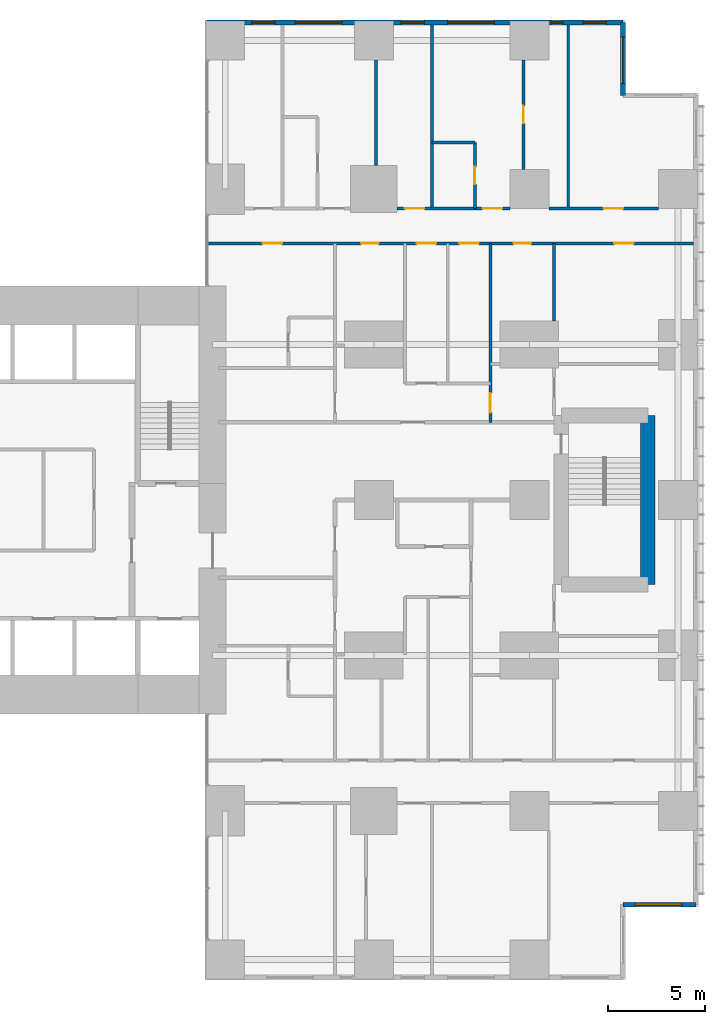
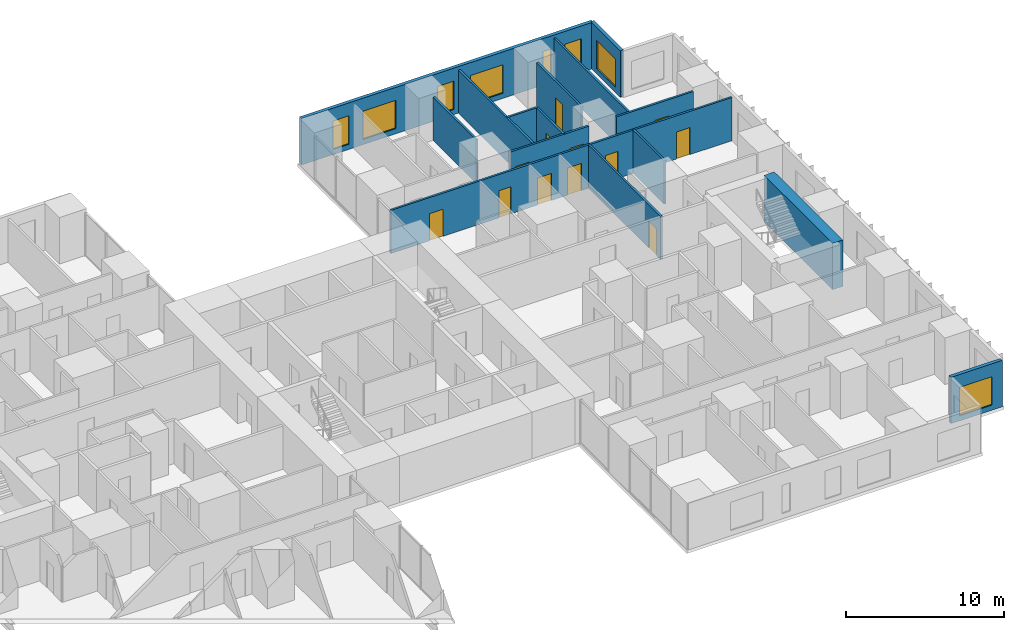
# One storey, part 18 of 20: 15 walls, 12 doors, 8 windows, 20 openings.
"""IFC4 building model written with IfcOpenShell, lengths in metres."""

from ifc_helpers import new_model, si_unit, direction, frame, frame_2d, origin, place, context, subcontext, project, spatial, rectangle, extrude, material, layer, layer_set, type_object, element, fill, save


model = new_model("IFC4")

# Units and contexts
model_context = context("Model", 3, precision=1e-05, world=origin(), true_north=direction((0.0, 1.0)))
body_context = subcontext(model_context, "Body", "Model", "MODEL_VIEW")
ifc_project = project(units=[si_unit("LENGTHUNIT", "METRE"), si_unit("AREAUNIT", "SQUARE_METRE"), si_unit("VOLUMEUNIT", "CUBIC_METRE"), si_unit("PLANEANGLEUNIT", "RADIAN"), si_unit("MASSUNIT", "GRAM", prefix="KILO")], contexts=[model_context])

# Site, building, storey
site_placement = place(None, origin())
site = spatial("IfcSite", under=ifc_project, at=site_placement, CompositionType="ELEMENT")
building_placement = place(site_placement, origin())
building = spatial("IfcBuilding", under=site, at=building_placement, Name="Cleftline Residences", CompositionType="ELEMENT")
storey_placement = place(building_placement, frame((0.0, 0.0, 143.0)))
storey = spatial("IfcBuildingStorey", under=building, at=storey_placement, Name="L37", CompositionType="ELEMENT", Elevation=143.0)

# Wall, opening, window
ifc_material_1 = material(Name="Rendered reinforced concrete blockwork", Category="masonry")
ifc_layer_1 = layer(ifc_material_1, 0.25)
ifc_layer_set_1 = layer_set([ifc_layer_1], Name="EXTERNAL WALL 250")
wall_type_1 = type_object("IfcWallType", Name="EXTERNAL WALL 250", PredefinedType="SOLIDWALL", material=ifc_layer_set_1)
wall_1_placement = place(storey_placement, frame((62.824951171875, 3.175048828125, 0.0), z_axis=(0.0, 0.0, 1.0), x_axis=(1.0, 0.0, 0.0)))
wall_1 = element("IfcWall", 1, at=wall_1_placement, inside=storey, type_object=wall_type_1, Name="External wall", PredefinedType="SOLIDWALL", context=body_context, shape_type="SweptSolid", body=[
    extrude(rectangle(XDim=3.75, YDim=0.25, at=frame_2d((1.875, 0.0))), origin(), (0.0, 0.0, 1.0), 3.60009765625),
])
opening_1_placement = place(wall_1_placement, frame((0.612548828125, 0.0, 0.39990234375)))
opening_1 = element("IfcOpeningElement", 2, at=opening_1_placement, cuts=wall_1, Name="Opening W12", PredefinedType="OPENING", context=body_context, shape_type="SweptSolid", body=[
    extrude(rectangle(XDim=2.39990234375, YDim=2.199951171875, at=frame_2d((1.199951171875, 1.10009765625))), frame((0.0, 0.135009765625, 0.0), z_axis=(0.0, -1.0, 0.0), x_axis=(1.0, 0.0, 0.0)), (0.0, 0.0, 1.0), 0.27001953125),
])
ifc_material_2 = material(Name="Aluminium frame, clear double glazing", Category="aluminium")
window_type_1 = type_object("IfcWindowType", Name="WINDOW 2400X2200", PartitioningType="DOUBLE_PANEL_VERTICAL", PredefinedType="WINDOW", material=ifc_material_2)
window_1_placement = place(opening_1_placement, origin())
window_1 = element("IfcWindow", 3, at=window_1_placement, inside=storey, type_object=window_type_1, Name="Window", OverallHeight=2.199951171875, OverallWidth=2.39990234375, PartitioningType="SINGLE_PANEL", PredefinedType="WINDOW", context=body_context, shape_type="SweptSolid", body=[
    extrude(rectangle(XDim=2.39990234375, YDim=2.199951171875, at=frame_2d((1.199951171875, 1.10009765625))), frame((0.0, 0.030029296875, 0.0), z_axis=(0.0, -1.0, 0.0), x_axis=(1.0, 0.0, 0.0)), (0.0, 0.0, 1.0), 0.06005859375),
])
fill(opening_1, window_1)

wall_2_placement = place(storey_placement, frame((62.824951171875, 44.824951171875, 0.0), z_axis=(0.0, 0.0, 1.0), x_axis=(0.0, 1.0, 0.0)))
wall_2 = element("IfcWall", 4, at=wall_2_placement, inside=storey, type_object=wall_type_1, Name="External wall", PredefinedType="SOLIDWALL", context=body_context, shape_type="SweptSolid", body=[
    extrude(rectangle(XDim=3.75, YDim=0.25, at=frame_2d((1.875, 0.0))), origin(), (0.0, 0.0, 1.0), 3.60009765625),
])
opening_2_placement = place(wall_2_placement, frame((0.612548828125, 0.0, 0.39990234375)))
opening_2 = element("IfcOpeningElement", 5, at=opening_2_placement, cuts=wall_2, Name="Opening W12", PredefinedType="OPENING", context=body_context, shape_type="SweptSolid", body=[
    extrude(rectangle(XDim=2.39990234375, YDim=2.199951171875, at=frame_2d((1.199951171875, 1.10009765625))), frame((0.0, 0.135009765625, 0.0), z_axis=(0.0, -1.0, 0.0), x_axis=(1.0, 0.0, 0.0)), (0.0, 0.0, 1.0), 0.27001953125),
])
window_2_placement = place(opening_2_placement, origin())
window_2 = element("IfcWindow", 6, at=window_2_placement, inside=storey, type_object=window_type_1, Name="Window", OverallHeight=2.199951171875, OverallWidth=2.39990234375, PartitioningType="SINGLE_PANEL", PredefinedType="WINDOW", context=body_context, shape_type="SweptSolid", body=[
    extrude(rectangle(XDim=2.39990234375, YDim=2.199951171875, at=frame_2d((1.199951171875, 1.10009765625))), frame((0.0, 0.030029296875, 0.0), z_axis=(0.0, -1.0, 0.0), x_axis=(1.0, 0.0, 0.0)), (0.0, 0.0, 1.0), 0.06005859375),
])
fill(opening_2, window_2)

# Wall, openings, windows
wall_3_placement = place(storey_placement, frame((62.824951171875, 48.574951171875, 0.0), z_axis=(0.0, 0.0, 1.0), x_axis=(-1.0, 0.0, 0.0)))
wall_3 = element("IfcWall", 7, at=wall_3_placement, inside=storey, type_object=wall_type_1, Name="External wall", PredefinedType="SOLIDWALL", context=body_context, shape_type="SweptSolid", body=[
    extrude(rectangle(XDim=21.39990234375, YDim=0.25, at=frame_2d((10.699951171875, 0.0))), origin(), (0.0, 0.0, 1.0), 3.60009765625),
])
opening_3_placement = place(wall_3_placement, frame((0.875, 0.0, 0.39990234375)))
opening_3 = element("IfcOpeningElement", 8, at=opening_3_placement, cuts=wall_3, Name="Opening W11", PredefinedType="OPENING", context=body_context, shape_type="SweptSolid", body=[
    extrude(rectangle(XDim=1.199951171875, YDim=2.199951171875, at=frame_2d((0.60009765625, 1.10009765625))), frame((0.0, 0.135009765625, 0.0), z_axis=(0.0, -1.0, 0.0), x_axis=(1.0, 0.0, 0.0)), (0.0, 0.0, 1.0), 0.27001953125),
])
opening_4_placement = place(wall_3_placement, frame((3.10009765625, 0.0, 0.39990234375)))
opening_4 = element("IfcOpeningElement", 9, at=opening_4_placement, cuts=wall_3, Name="Opening W10", PredefinedType="OPENING", context=body_context, shape_type="SweptSolid", body=[
    extrude(rectangle(XDim=0.60009765625, YDim=2.199951171875, at=frame_2d((0.300048828125, 1.10009765625))), frame((0.0, 0.135009765625, 0.0), z_axis=(0.0, -1.0, 0.0), x_axis=(1.0, 0.0, 0.0)), (0.0, 0.0, 1.0), 0.27001953125),
])
opening_5_placement = place(wall_3_placement, frame((6.625, 0.0, 0.39990234375)))
opening_5 = element("IfcOpeningElement", 10, at=opening_5_placement, cuts=wall_3, Name="Opening W12", PredefinedType="OPENING", context=body_context, shape_type="SweptSolid", body=[
    extrude(rectangle(XDim=2.39990234375, YDim=2.199951171875, at=frame_2d((1.199951171875, 1.10009765625))), frame((0.0, 0.135009765625, 0.0), z_axis=(0.0, -1.0, 0.0), x_axis=(1.0, 0.0, 0.0)), (0.0, 0.0, 1.0), 0.27001953125),
])
opening_6_placement = place(wall_3_placement, frame((10.22509765625, 0.0, 0.39990234375)))
opening_6 = element("IfcOpeningElement", 11, at=opening_6_placement, cuts=wall_3, Name="Opening W11", PredefinedType="OPENING", context=body_context, shape_type="SweptSolid", body=[
    extrude(rectangle(XDim=1.199951171875, YDim=2.199951171875, at=frame_2d((0.60009765625, 1.10009765625))), frame((0.0, 0.135009765625, 0.0), z_axis=(0.0, -1.0, 0.0), x_axis=(1.0, 0.0, 0.0)), (0.0, 0.0, 1.0), 0.27001953125),
])
opening_7_placement = place(wall_3_placement, frame((14.47509765625, 0.0, 0.39990234375)))
opening_7 = element("IfcOpeningElement", 12, at=opening_7_placement, cuts=wall_3, Name="Opening W12", PredefinedType="OPENING", context=body_context, shape_type="SweptSolid", body=[
    extrude(rectangle(XDim=2.39990234375, YDim=2.199951171875, at=frame_2d((1.199951171875, 1.10009765625))), frame((0.0, 0.135009765625, 0.0), z_axis=(0.0, -1.0, 0.0), x_axis=(1.0, 0.0, 0.0)), (0.0, 0.0, 1.0), 0.27001953125),
])
opening_8_placement = place(wall_3_placement, frame((17.89990234375, 0.0, 0.39990234375)))
opening_8 = element("IfcOpeningElement", 13, at=opening_8_placement, cuts=wall_3, Name="Opening W11", PredefinedType="OPENING", context=body_context, shape_type="SweptSolid", body=[
    extrude(rectangle(XDim=1.199951171875, YDim=2.199951171875, at=frame_2d((0.60009765625, 1.10009765625))), frame((0.0, 0.135009765625, 0.0), z_axis=(0.0, -1.0, 0.0), x_axis=(1.0, 0.0, 0.0)), (0.0, 0.0, 1.0), 0.27001953125),
])
ifc_material_3 = material(Name="Aluminium frame, clear double glazing", Category="aluminium")
window_type_2 = type_object("IfcWindowType", Name="WINDOW 1200X2200", PartitioningType="DOUBLE_PANEL_VERTICAL", PredefinedType="WINDOW", material=ifc_material_3)
window_3_placement = place(opening_3_placement, origin())
window_3 = element("IfcWindow", 14, at=window_3_placement, inside=storey, type_object=window_type_2, Name="Window", OverallHeight=2.199951171875, OverallWidth=1.199951171875, PartitioningType="SINGLE_PANEL", PredefinedType="WINDOW", context=body_context, shape_type="SweptSolid", body=[
    extrude(rectangle(XDim=1.199951171875, YDim=2.199951171875, at=frame_2d((0.60009765625, 1.10009765625))), frame((0.0, 0.030029296875, 0.0), z_axis=(0.0, -1.0, 0.0), x_axis=(1.0, 0.0, 0.0)), (0.0, 0.0, 1.0), 0.06005859375),
])
fill(opening_3, window_3)
window_4_placement = place(opening_6_placement, origin())
window_4 = element("IfcWindow", 15, at=window_4_placement, inside=storey, type_object=window_type_2, Name="Window", OverallHeight=2.199951171875, OverallWidth=1.199951171875, PartitioningType="SINGLE_PANEL", PredefinedType="WINDOW", context=body_context, shape_type="SweptSolid", body=[
    extrude(rectangle(XDim=1.199951171875, YDim=2.199951171875, at=frame_2d((0.60009765625, 1.10009765625))), frame((0.0, 0.030029296875, 0.0), z_axis=(0.0, -1.0, 0.0), x_axis=(1.0, 0.0, 0.0)), (0.0, 0.0, 1.0), 0.06005859375),
])
fill(opening_6, window_4)
window_5_placement = place(opening_8_placement, origin())
window_5 = element("IfcWindow", 16, at=window_5_placement, inside=storey, type_object=window_type_2, Name="Window", OverallHeight=2.199951171875, OverallWidth=1.199951171875, PartitioningType="SINGLE_PANEL", PredefinedType="WINDOW", context=body_context, shape_type="SweptSolid", body=[
    extrude(rectangle(XDim=1.199951171875, YDim=2.199951171875, at=frame_2d((0.60009765625, 1.10009765625))), frame((0.0, 0.030029296875, 0.0), z_axis=(0.0, -1.0, 0.0), x_axis=(1.0, 0.0, 0.0)), (0.0, 0.0, 1.0), 0.06005859375),
])
fill(opening_8, window_5)
window_6_placement = place(opening_5_placement, origin())
window_6 = element("IfcWindow", 17, at=window_6_placement, inside=storey, type_object=window_type_1, Name="Window", OverallHeight=2.199951171875, OverallWidth=2.39990234375, PartitioningType="SINGLE_PANEL", PredefinedType="WINDOW", context=body_context, shape_type="SweptSolid", body=[
    extrude(rectangle(XDim=2.39990234375, YDim=2.199951171875, at=frame_2d((1.199951171875, 1.10009765625))), frame((0.0, 0.030029296875, 0.0), z_axis=(0.0, -1.0, 0.0), x_axis=(1.0, 0.0, 0.0)), (0.0, 0.0, 1.0), 0.06005859375),
])
fill(opening_5, window_6)
window_7_placement = place(opening_7_placement, origin())
window_7 = element("IfcWindow", 18, at=window_7_placement, inside=storey, type_object=window_type_1, Name="Window", OverallHeight=2.199951171875, OverallWidth=2.39990234375, PartitioningType="SINGLE_PANEL", PredefinedType="WINDOW", context=body_context, shape_type="SweptSolid", body=[
    extrude(rectangle(XDim=2.39990234375, YDim=2.199951171875, at=frame_2d((1.199951171875, 1.10009765625))), frame((0.0, 0.030029296875, 0.0), z_axis=(0.0, -1.0, 0.0), x_axis=(1.0, 0.0, 0.0)), (0.0, 0.0, 1.0), 0.06005859375),
])
fill(opening_7, window_7)
ifc_material_4 = material(Name="Aluminium frame, clear double glazing", Category="aluminium")
window_type_3 = type_object("IfcWindowType", Name="WINDOW 600X2200", PartitioningType="DOUBLE_PANEL_VERTICAL", PredefinedType="WINDOW", material=ifc_material_4)
window_8_placement = place(opening_4_placement, origin())
window_8 = element("IfcWindow", 19, at=window_8_placement, inside=storey, type_object=window_type_3, Name="Window", OverallHeight=2.199951171875, OverallWidth=0.60009765625, PartitioningType="SINGLE_PANEL", PredefinedType="WINDOW", context=body_context, shape_type="SweptSolid", body=[
    extrude(rectangle(XDim=0.60009765625, YDim=2.199951171875, at=frame_2d((0.300048828125, 1.10009765625))), frame((0.0, 0.030029296875, 0.0), z_axis=(0.0, -1.0, 0.0), x_axis=(1.0, 0.0, 0.0)), (0.0, 0.0, 1.0), 0.06005859375),
])
fill(opening_4, window_8)

# Wall, openings, doors
ifc_material_5 = material(Name="Gypsum board on steel studs", Category="steel")
ifc_layer_2 = layer(ifc_material_5, 0.14990234375)
ifc_layer_set_2 = layer_set([ifc_layer_2], Name="PARTITION 150")
wall_type_2 = type_object("IfcWallType", Name="PARTITION 150", PredefinedType="PARTITIONING", material=ifc_layer_set_2)
wall_4_placement = place(storey_placement, frame((41.43896484375, 37.199951171875, 0.0), z_axis=(0.0, 0.0, 1.0), x_axis=(1.0, 0.0, 0.0)))
wall_4 = element("IfcWall", 20, at=wall_4_placement, inside=storey, type_object=wall_type_2, Name="Partition", PredefinedType="PARTITIONING", context=body_context, shape_type="SweptSolid", body=[
    extrude(rectangle(XDim=25.010986328125, YDim=0.14990234375, at=frame_2d((12.50537109375, 0.0))), origin(), (0.0, 0.0, 1.0), 3.35009765625),
])
opening_9_placement = place(wall_4_placement, frame((10.760986328125, 0.0, 0.0)))
opening_9 = element("IfcOpeningElement", 21, at=opening_9_placement, cuts=wall_4, Name="Opening D2", PredefinedType="OPENING", context=body_context, shape_type="SweptSolid", body=[
    extrude(rectangle(XDim=1.0, YDim=2.10009765625, at=frame_2d((0.5, 1.050048828125))), frame((0.0, 0.0849609375, 0.0), z_axis=(0.0, -1.0, 0.0), x_axis=(1.0, 0.0, 0.0)), (0.0, 0.0, 1.0), 0.169921875),
])
opening_10_placement = place(wall_4_placement, frame((20.923583984375, 0.0, 0.0)))
opening_10 = element("IfcOpeningElement", 22, at=opening_10_placement, cuts=wall_4, Name="Opening D2", PredefinedType="OPENING", context=body_context, shape_type="SweptSolid", body=[
    extrude(rectangle(XDim=1.0, YDim=2.10009765625, at=frame_2d((0.5, 1.050048828125))), frame((0.0, 0.0849609375, 0.0), z_axis=(0.0, -1.0, 0.0), x_axis=(1.0, 0.0, 0.0)), (0.0, 0.0, 1.0), 0.169921875),
])
opening_11_placement = place(wall_4_placement, frame((15.74853515625, 0.0, 0.0)))
opening_11 = element("IfcOpeningElement", 23, at=opening_11_placement, cuts=wall_4, Name="Opening D1", PredefinedType="OPENING", context=body_context, shape_type="SweptSolid", body=[
    extrude(rectangle(XDim=0.89990234375, YDim=2.10009765625, at=frame_2d((0.449951171875, 1.050048828125))), frame((0.0, 0.0849609375, 0.0), z_axis=(0.0, -1.0, 0.0), x_axis=(1.0, 0.0, 0.0)), (0.0, 0.0, 1.0), 0.169921875),
])
opening_12_placement = place(wall_4_placement, frame((12.9609375, 0.0, 0.0)))
opening_12 = element("IfcOpeningElement", 24, at=opening_12_placement, cuts=wall_4, Name="Opening D2", PredefinedType="OPENING", context=body_context, shape_type="SweptSolid", body=[
    extrude(rectangle(XDim=1.0, YDim=2.10009765625, at=frame_2d((0.5, 1.050048828125))), frame((0.0, 0.0849609375, 0.0), z_axis=(0.0, -1.0, 0.0), x_axis=(1.0, 0.0, 0.0)), (0.0, 0.0, 1.0), 0.169921875),
])
opening_13_placement = place(wall_4_placement, frame((7.910888671875, 0.0, 0.0)))
opening_13 = element("IfcOpeningElement", 25, at=opening_13_placement, cuts=wall_4, Name="Opening D1", PredefinedType="OPENING", context=body_context, shape_type="SweptSolid", body=[
    extrude(rectangle(XDim=0.89990234375, YDim=2.10009765625, at=frame_2d((0.449951171875, 1.050048828125))), frame((0.0, 0.0849609375, 0.0), z_axis=(0.0, -1.0, 0.0), x_axis=(1.0, 0.0, 0.0)), (0.0, 0.0, 1.0), 0.169921875),
])
opening_14_placement = place(wall_4_placement, frame((2.8359375, 0.0, 0.0)))
opening_14 = element("IfcOpeningElement", 26, at=opening_14_placement, cuts=wall_4, Name="Opening D2", PredefinedType="OPENING", context=body_context, shape_type="SweptSolid", body=[
    extrude(rectangle(XDim=1.0, YDim=2.10009765625, at=frame_2d((0.5, 1.050048828125))), frame((0.0, 0.0849609375, 0.0), z_axis=(0.0, -1.0, 0.0), x_axis=(1.0, 0.0, 0.0)), (0.0, 0.0, 1.0), 0.169921875),
])
ifc_material_6 = material(Name="Timber veneer on solid core", Category="wood")
door_type_1 = type_object("IfcDoorType", Name="DOOR 1000X2100", OperationType="SINGLE_SWING_LEFT", PredefinedType="DOOR", material=ifc_material_6)
door_1_placement = place(opening_9_placement, origin())
door_1 = element("IfcDoor", 27, at=door_1_placement, inside=storey, type_object=door_type_1, Name="Door to residence hall", OperationType="SINGLE_SWING_RIGHT", OverallHeight=2.10009765625, OverallWidth=1.0, PredefinedType="DOOR", context=body_context, shape_type="SweptSolid", body=[
    extrude(rectangle(XDim=1.0, YDim=2.10009765625, at=frame_2d((0.5, 1.050048828125))), frame((0.0, 0.02490234375, 0.0), z_axis=(0.0, -1.0, 0.0), x_axis=(1.0, 0.0, 0.0)), (0.0, 0.0, 1.0), 0.050048828125),
])
fill(opening_9, door_1)
door_2_placement = place(opening_10_placement, origin())
door_2 = element("IfcDoor", 28, at=door_2_placement, inside=storey, type_object=door_type_1, Name="Door to master bedroom", OperationType="SINGLE_SWING_LEFT", OverallHeight=2.10009765625, OverallWidth=1.0, PredefinedType="DOOR", context=body_context, shape_type="SweptSolid", body=[
    extrude(rectangle(XDim=1.0, YDim=2.10009765625, at=frame_2d((0.5, 1.050048828125))), frame((0.0, 0.02490234375, 0.0), z_axis=(0.0, -1.0, 0.0), x_axis=(1.0, 0.0, 0.0)), (0.0, 0.0, 1.0), 0.050048828125),
])
fill(opening_10, door_2)
door_3_placement = place(opening_12_placement, origin())
door_3 = element("IfcDoor", 29, at=door_3_placement, inside=storey, type_object=door_type_1, Name="Door to family room", OperationType="SINGLE_SWING_LEFT", OverallHeight=2.10009765625, OverallWidth=1.0, PredefinedType="DOOR", context=body_context, shape_type="SweptSolid", body=[
    extrude(rectangle(XDim=1.0, YDim=2.10009765625, at=frame_2d((0.5, 1.050048828125))), frame((0.0, 0.02490234375, 0.0), z_axis=(0.0, -1.0, 0.0), x_axis=(1.0, 0.0, 0.0)), (0.0, 0.0, 1.0), 0.050048828125),
])
fill(opening_12, door_3)
door_4_placement = place(opening_14_placement, origin())
door_4 = element("IfcDoor", 30, at=door_4_placement, inside=storey, type_object=door_type_1, Name="Door to bedroom 4", OperationType="SINGLE_SWING_RIGHT", OverallHeight=2.10009765625, OverallWidth=1.0, PredefinedType="DOOR", context=body_context, shape_type="SweptSolid", body=[
    extrude(rectangle(XDim=1.0, YDim=2.10009765625, at=frame_2d((0.5, 1.050048828125))), frame((0.0, 0.02490234375, 0.0), z_axis=(0.0, -1.0, 0.0), x_axis=(1.0, 0.0, 0.0)), (0.0, 0.0, 1.0), 0.050048828125),
])
fill(opening_14, door_4)
ifc_material_7 = material(Name="Timber veneer on solid core", Category="wood")
door_type_2 = type_object("IfcDoorType", Name="DOOR 900X2100", OperationType="SINGLE_SWING_LEFT", PredefinedType="DOOR", material=ifc_material_7)
door_5_placement = place(opening_11_placement, origin())
door_5 = element("IfcDoor", 31, at=door_5_placement, inside=storey, type_object=door_type_2, Name="Door to master bathroom", OperationType="SINGLE_SWING_LEFT", OverallHeight=2.10009765625, OverallWidth=0.89990234375, PredefinedType="DOOR", context=body_context, shape_type="SweptSolid", body=[
    extrude(rectangle(XDim=0.89990234375, YDim=2.10009765625, at=frame_2d((0.449951171875, 1.050048828125))), frame((0.0, 0.02490234375, 0.0), z_axis=(0.0, -1.0, 0.0), x_axis=(1.0, 0.0, 0.0)), (0.0, 0.0, 1.0), 0.050048828125),
])
fill(opening_11, door_5)
door_6_placement = place(opening_13_placement, origin())
door_6 = element("IfcDoor", 32, at=door_6_placement, inside=storey, type_object=door_type_2, Name="Door to master dressing room", OperationType="SINGLE_SWING_RIGHT", OverallHeight=2.10009765625, OverallWidth=0.89990234375, PredefinedType="DOOR", context=body_context, shape_type="SweptSolid", body=[
    extrude(rectangle(XDim=0.89990234375, YDim=2.10009765625, at=frame_2d((0.449951171875, 1.050048828125))), frame((0.0, 0.02490234375, 0.0), z_axis=(0.0, -1.0, 0.0), x_axis=(1.0, 0.0, 0.0)), (0.0, 0.0, 1.0), 0.050048828125),
])
fill(opening_13, door_6)

wall_5_placement = place(storey_placement, frame((51.199951171875, 39.0, 0.0), z_axis=(0.0, 0.0, 1.0), x_axis=(1.0, 0.0, 0.0)))
wall_5 = element("IfcWall", 33, at=wall_5_placement, inside=storey, type_object=wall_type_2, Name="Partition", PredefinedType="PARTITIONING", context=body_context, shape_type="SweptSolid", body=[
    extrude(rectangle(XDim=5.800048828125, YDim=0.14990234375, at=frame_2d((2.89990234375, 0.0))), origin(), (0.0, 0.0, 1.0), 3.35009765625),
])
opening_15_placement = place(wall_5_placement, frame((4.39990234375, 0.0, 0.0)))
opening_15 = element("IfcOpeningElement", 34, at=opening_15_placement, cuts=wall_5, Name="Opening D2", PredefinedType="OPENING", context=body_context, shape_type="SweptSolid", body=[
    extrude(rectangle(XDim=1.0, YDim=2.10009765625, at=frame_2d((0.5, 1.050048828125))), frame((0.0, 0.0849609375, 0.0), z_axis=(0.0, -1.0, 0.0), x_axis=(1.0, 0.0, 0.0)), (0.0, 0.0, 1.0), 0.169921875),
])
opening_16_placement = place(wall_5_placement, frame((0.39990234375, 0.0, 0.0)))
opening_16 = element("IfcOpeningElement", 35, at=opening_16_placement, cuts=wall_5, Name="Opening D2", PredefinedType="OPENING", context=body_context, shape_type="SweptSolid", body=[
    extrude(rectangle(XDim=1.0, YDim=2.10009765625, at=frame_2d((0.5, 1.050048828125))), frame((0.0, 0.0849609375, 0.0), z_axis=(0.0, -1.0, 0.0), x_axis=(1.0, 0.0, 0.0)), (0.0, 0.0, 1.0), 0.169921875),
])
door_7_placement = place(opening_15_placement, origin())
door_7 = element("IfcDoor", 36, at=door_7_placement, inside=storey, type_object=door_type_1, Name="Door to bedroom 2", OperationType="SINGLE_SWING_LEFT", OverallHeight=2.10009765625, OverallWidth=1.0, PredefinedType="DOOR", context=body_context, shape_type="SweptSolid", body=[
    extrude(rectangle(XDim=1.0, YDim=2.10009765625, at=frame_2d((0.5, 1.050048828125))), frame((0.0, 0.02490234375, 0.0), z_axis=(0.0, -1.0, 0.0), x_axis=(1.0, 0.0, 0.0)), (0.0, 0.0, 1.0), 0.050048828125),
])
fill(opening_15, door_7)
door_8_placement = place(opening_16_placement, origin())
door_8 = element("IfcDoor", 37, at=door_8_placement, inside=storey, type_object=door_type_1, Name="Door to bedroom 3 sitting room", OperationType="SINGLE_SWING_RIGHT", OverallHeight=2.10009765625, OverallWidth=1.0, PredefinedType="DOOR", context=body_context, shape_type="SweptSolid", body=[
    extrude(rectangle(XDim=1.0, YDim=2.10009765625, at=frame_2d((0.5, 1.050048828125))), frame((0.0, 0.02490234375, 0.0), z_axis=(0.0, -1.0, 0.0), x_axis=(1.0, 0.0, 0.0)), (0.0, 0.0, 1.0), 0.050048828125),
])
fill(opening_16, door_8)

# Wall, opening, door
wall_6_placement = place(storey_placement, frame((59.0, 39.0, 0.0), z_axis=(0.0, 0.0, 1.0), x_axis=(1.0, 0.0, 0.0)))
wall_6 = element("IfcWall", 38, at=wall_6_placement, inside=storey, type_object=wall_type_2, Name="Partition", PredefinedType="PARTITIONING", context=body_context, shape_type="SweptSolid", body=[
    extrude(rectangle(XDim=5.64990234375, YDim=0.14990234375, at=frame_2d((2.824951171875, 0.0))), origin(), (0.0, 0.0, 1.0), 3.35009765625),
])
opening_17_placement = place(wall_6_placement, frame((2.824951171875, 0.0, 0.0)))
opening_17 = element("IfcOpeningElement", 39, at=opening_17_placement, cuts=wall_6, Name="Opening D2", PredefinedType="OPENING", context=body_context, shape_type="SweptSolid", body=[
    extrude(rectangle(XDim=1.0, YDim=2.10009765625, at=frame_2d((0.5, 1.050048828125))), frame((0.0, 0.0849609375, 0.0), z_axis=(0.0, -1.0, 0.0), x_axis=(1.0, 0.0, 0.0)), (0.0, 0.0, 1.0), 0.169921875),
])
door_9_placement = place(opening_17_placement, origin())
door_9 = element("IfcDoor", 40, at=door_9_placement, inside=storey, type_object=door_type_1, Name="Door to gym", OperationType="SINGLE_SWING_LEFT", OverallHeight=2.10009765625, OverallWidth=1.0, PredefinedType="DOOR", context=body_context, shape_type="SweptSolid", body=[
    extrude(rectangle(XDim=1.0, YDim=2.10009765625, at=frame_2d((0.5, 1.050048828125))), frame((0.0, 0.02490234375, 0.0), z_axis=(0.0, -1.0, 0.0), x_axis=(1.0, 0.0, 0.0)), (0.0, 0.0, 1.0), 0.050048828125),
])
fill(opening_17, door_9)

# Walls
wall_7_placement = place(storey_placement, frame((53.0, 42.39990234375, 0.0), z_axis=(0.0, 0.0, 1.0), x_axis=(1.0, 0.0, 0.0)))
element("IfcWall", 41, at=wall_7_placement, inside=storey, type_object=wall_type_2, Name="Partition", PredefinedType="PARTITIONING", context=body_context, shape_type="SweptSolid", body=[
    extrude(rectangle(XDim=2.199951171875, YDim=0.14990234375, at=frame_2d((1.10009765625, 0.0))), origin(), (0.0, 0.0, 1.0), 3.35009765625),
])
wall_8_placement = place(storey_placement, frame((50.10009765625, 41.199951171875, 0.0), z_axis=(0.0, 0.0, 1.0), x_axis=(0.0, 1.0, 0.0)))
element("IfcWall", 42, at=wall_8_placement, inside=storey, type_object=wall_type_2, Name="Partition", PredefinedType="PARTITIONING", context=body_context, shape_type="SweptSolid", body=[
    extrude(rectangle(XDim=5.449951171875, YDim=0.14990234375, at=frame_2d((2.72509765625, 0.0))), origin(), (0.0, 0.0, 1.0), 3.35009765625),
])
wall_9_placement = place(storey_placement, frame((53.0, 39.0, 0.0), z_axis=(0.0, 0.0, 1.0), x_axis=(0.0, 1.0, 0.0)))
element("IfcWall", 43, at=wall_9_placement, inside=storey, type_object=wall_type_2, Name="Partition", PredefinedType="PARTITIONING", context=body_context, shape_type="SweptSolid", body=[
    extrude(rectangle(XDim=9.449951171875, YDim=0.14990234375, at=frame_2d((4.72509765625, 0.0))), origin(), (0.0, 0.0, 1.0), 3.35009765625),
])

# Wall, opening, door
wall_10_placement = place(storey_placement, frame((55.199951171875, 39.0, 0.0), z_axis=(0.0, 0.0, 1.0), x_axis=(0.0, 1.0, 0.0)))
wall_10 = element("IfcWall", 44, at=wall_10_placement, inside=storey, type_object=wall_type_2, Name="Partition", PredefinedType="PARTITIONING", context=body_context, shape_type="SweptSolid", body=[
    extrude(rectangle(XDim=3.39990234375, YDim=0.14990234375, at=frame_2d((1.699951171875, 0.0))), origin(), (0.0, 0.0, 1.0), 3.35009765625),
])
opening_18_placement = place(wall_10_placement, frame((1.25, 0.0, 0.0)))
opening_18 = element("IfcOpeningElement", 45, at=opening_18_placement, cuts=wall_10, Name="Opening D1", PredefinedType="OPENING", context=body_context, shape_type="SweptSolid", body=[
    extrude(rectangle(XDim=0.89990234375, YDim=2.10009765625, at=frame_2d((0.449951171875, 1.050048828125))), frame((0.0, 0.0849609375, 0.0), z_axis=(0.0, -1.0, 0.0), x_axis=(1.0, 0.0, 0.0)), (0.0, 0.0, 1.0), 0.169921875),
])
door_10_placement = place(opening_18_placement, origin())
door_10 = element("IfcDoor", 46, at=door_10_placement, inside=storey, type_object=door_type_2, Name="Door to en-suite bathroom 2", OperationType="SINGLE_SWING_LEFT", OverallHeight=2.10009765625, OverallWidth=0.89990234375, PredefinedType="DOOR", context=body_context, shape_type="SweptSolid", body=[
    extrude(rectangle(XDim=0.89990234375, YDim=2.10009765625, at=frame_2d((0.449951171875, 1.050048828125))), frame((0.0, 0.02490234375, 0.0), z_axis=(0.0, -1.0, 0.0), x_axis=(1.0, 0.0, 0.0)), (0.0, 0.0, 1.0), 0.050048828125),
])
fill(opening_18, door_10)

wall_11_placement = place(storey_placement, frame((56.0, 28.0, 0.0), z_axis=(0.0, 0.0, 1.0), x_axis=(0.0, 1.0, 0.0)))
wall_11 = element("IfcWall", 47, at=wall_11_placement, inside=storey, type_object=wall_type_2, Name="Partition", PredefinedType="PARTITIONING", context=body_context, shape_type="SweptSolid", body=[
    extrude(rectangle(XDim=9.199951171875, YDim=0.14990234375, at=frame_2d((4.60009765625, 0.0))), origin(), (0.0, 0.0, 1.0), 3.35009765625),
])
opening_19_placement = place(wall_11_placement, frame((0.5, 0.0, 0.0)))
opening_19 = element("IfcOpeningElement", 48, at=opening_19_placement, cuts=wall_11, Name="Opening D2F30", PredefinedType="OPENING", context=body_context, shape_type="SweptSolid", body=[
    extrude(rectangle(XDim=1.0, YDim=2.10009765625, at=frame_2d((0.5, 1.050048828125))), frame((0.0, 0.0849609375, 0.0), z_axis=(0.0, -1.0, 0.0), x_axis=(1.0, 0.0, 0.0)), (0.0, 0.0, 1.0), 0.169921875),
])
ifc_material_8 = material(Name="Timber veneer on solid core", Category="wood")
door_type_3 = type_object("IfcDoorType", Name="DOOR 1000X2100 EI 30", OperationType="SINGLE_SWING_LEFT", PredefinedType="DOOR", material=ifc_material_8)
door_11_placement = place(opening_19_placement, origin())
door_11 = element("IfcDoor", 49, at=door_11_placement, inside=storey, type_object=door_type_3, Name="Door to residence lobby (service)", OperationType="SINGLE_SWING_RIGHT", OverallHeight=2.10009765625, OverallWidth=1.0, PredefinedType="DOOR", context=body_context, shape_type="SweptSolid", body=[
    extrude(rectangle(XDim=1.0, YDim=2.10009765625, at=frame_2d((0.5, 1.050048828125))), frame((0.0, 0.02490234375, 0.0), z_axis=(0.0, -1.0, 0.0), x_axis=(1.0, 0.0, 0.0)), (0.0, 0.0, 1.0), 0.050048828125),
])
fill(opening_19, door_11)

wall_12_placement = place(storey_placement, frame((57.699951171875, 41.0, 0.0), z_axis=(0.0, 0.0, 1.0), x_axis=(0.0, 1.0, 0.0)))
wall_12 = element("IfcWall", 50, at=wall_12_placement, inside=storey, type_object=wall_type_2, Name="Partition", PredefinedType="PARTITIONING", context=body_context, shape_type="SweptSolid", body=[
    extrude(rectangle(XDim=5.64990234375, YDim=0.14990234375, at=frame_2d((2.824951171875, 0.0))), origin(), (0.0, 0.0, 1.0), 3.35009765625),
])
opening_20_placement = place(wall_12_placement, frame((2.375, 0.0, 0.0)))
opening_20 = element("IfcOpeningElement", 51, at=opening_20_placement, cuts=wall_12, Name="Opening D1", PredefinedType="OPENING", context=body_context, shape_type="SweptSolid", body=[
    extrude(rectangle(XDim=0.89990234375, YDim=2.10009765625, at=frame_2d((0.449951171875, 1.050048828125))), frame((0.0, 0.0849609375, 0.0), z_axis=(0.0, -1.0, 0.0), x_axis=(1.0, 0.0, 0.0)), (0.0, 0.0, 1.0), 0.169921875),
])
door_12_placement = place(opening_20_placement, origin())
door_12 = element("IfcDoor", 52, at=door_12_placement, inside=storey, type_object=door_type_2, Name="Door to walk-in wardrobe", OperationType="SINGLE_SWING_LEFT", OverallHeight=2.10009765625, OverallWidth=0.89990234375, PredefinedType="DOOR", context=body_context, shape_type="SweptSolid", body=[
    extrude(rectangle(XDim=0.89990234375, YDim=2.10009765625, at=frame_2d((0.449951171875, 1.050048828125))), frame((0.0, 0.02490234375, 0.0), z_axis=(0.0, -1.0, 0.0), x_axis=(1.0, 0.0, 0.0)), (0.0, 0.0, 1.0), 0.050048828125),
])
fill(opening_20, door_12)

# Walls
wall_13_placement = place(storey_placement, frame((59.27490234375, 33.199951171875, 0.0), z_axis=(0.0, 0.0, 1.0), x_axis=(0.0, 1.0, 0.0)))
element("IfcWall", 53, at=wall_13_placement, inside=storey, type_object=wall_type_2, Name="Partition", PredefinedType="PARTITIONING", context=body_context, shape_type="SweptSolid", body=[
    extrude(rectangle(XDim=4.0, YDim=0.14990234375, at=frame_2d((2.0, 0.0))), origin(), (0.0, 0.0, 1.0), 3.35009765625),
])
wall_14_placement = place(storey_placement, frame((60.0, 39.0, 0.0), z_axis=(0.0, 0.0, 1.0), x_axis=(0.0, 1.0, 0.0)))
element("IfcWall", 54, at=wall_14_placement, inside=storey, type_object=wall_type_2, Name="Partition", PredefinedType="PARTITIONING", context=body_context, shape_type="SweptSolid", body=[
    extrude(rectangle(XDim=9.449951171875, YDim=0.14990234375, at=frame_2d((4.72509765625, 0.0))), origin(), (0.0, 0.0, 1.0), 3.35009765625),
])
ifc_material_9 = material(Name="Concrete B70", Category="concrete")
ifc_layer_3 = layer(ifc_material_9, 0.75)
ifc_layer_set_3 = layer_set([ifc_layer_3], Name="SHEAR WALL 750")
wall_type_3 = type_object("IfcWallType", Name="SHEAR WALL 750", PredefinedType="SHEAR", material=ifc_layer_set_3)
wall_15_placement = place(storey_placement, frame((64.10009765625, 19.64990234375, 0.0), z_axis=(0.0, 0.0, 1.0), x_axis=(0.0, 1.0, 0.0)))
element("IfcWall", 55, at=wall_15_placement, inside=storey, type_object=wall_type_3, Name="Wing shear wall", PredefinedType="SHEAR", context=body_context, shape_type="SweptSolid", body=[
    extrude(rectangle(XDim=8.7001953125, YDim=0.75, at=frame_2d((4.35009765625, 0.0))), origin(), (0.0, 0.0, 1.0), 3.60009765625),
])

save(model, "model.ifc")
